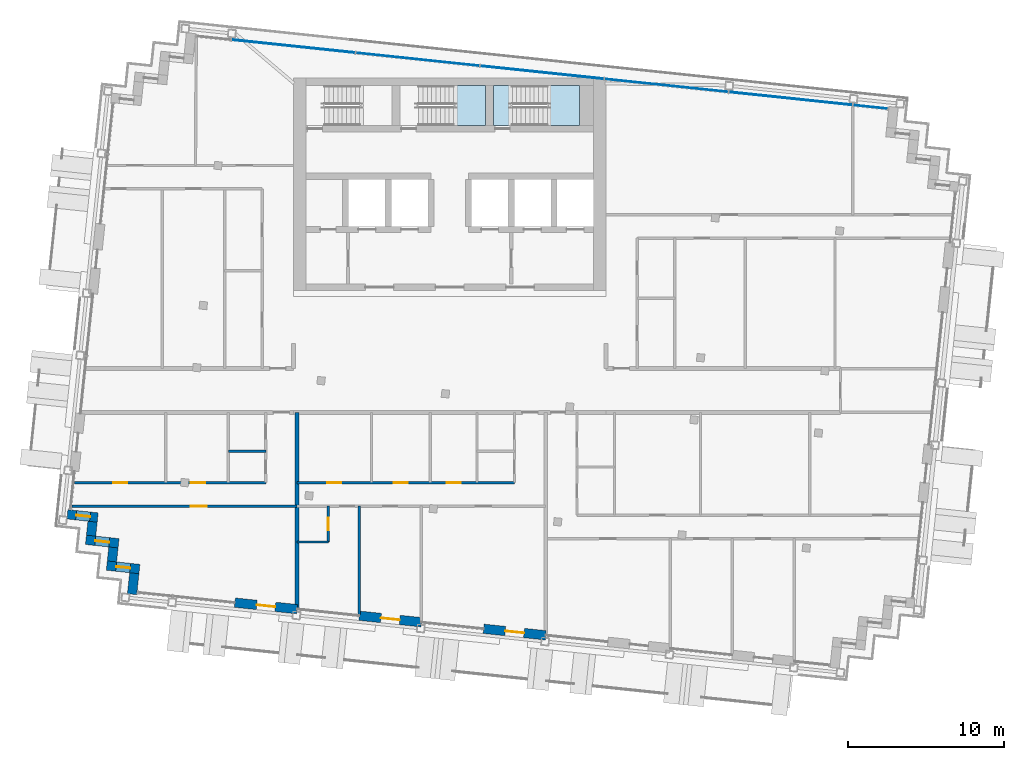
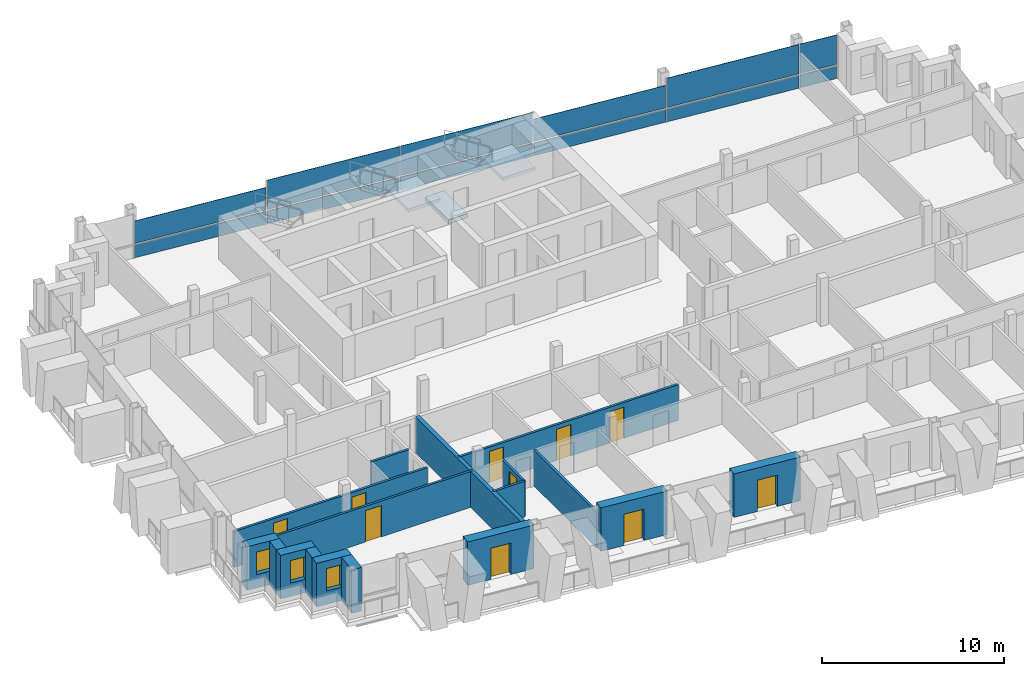
# One storey, part 8 of 16: 17 walls, 12 plates, 10 doors, 3 slabs, 3 windows, 13 openings, 3 elements without a shape of their own.
"""IFC4 building model written with IfcOpenShell, lengths in metres."""

from ifc_helpers import new_model, si_unit, direction, frame, frame_2d, origin, origin_2d, place, context, subcontext, project, spatial, polyline, rectangle, outline, extrude, material, layer, layer_set, type_object, element, fill, aggregate, save


model = new_model("IFC4")

# Units and contexts
model_context = context("Model", 3, precision=1e-05, world=origin(), true_north=direction((0.0, 1.0)))
body_context = subcontext(model_context, "Body", "Model", "MODEL_VIEW")
ifc_project = project(units=[si_unit("LENGTHUNIT", "METRE"), si_unit("AREAUNIT", "SQUARE_METRE"), si_unit("VOLUMEUNIT", "CUBIC_METRE"), si_unit("PLANEANGLEUNIT", "RADIAN"), si_unit("MASSUNIT", "GRAM", prefix="KILO")], contexts=[model_context])

# Site, building, storey
site_placement = place(None, origin())
site = spatial("IfcSite", under=ifc_project, at=site_placement, CompositionType="ELEMENT")
building_placement = place(site_placement, origin())
building = spatial("IfcBuilding", under=site, at=building_placement, Name="Vidyagriha Tower", CompositionType="ELEMENT")
storey_placement = place(building_placement, frame((0.0, 0.0, 272.300048828125)))
storey = spatial("IfcBuildingStorey", under=building, at=storey_placement, Name="L71", CompositionType="ELEMENT", Elevation=272.300048828125)

# Curtain wall, plates
ifc_material_1 = material(Name="Aluminium and glass curtain wall", Category="aluminium")
curtain_wall_type = type_object("IfcCurtainWallType", Name="Dwelling skin unitised curtain wall", PredefinedType="USERDEFINED", material=ifc_material_1)
curtain_wall_placement = place(storey_placement, origin())
curtain_wall = element("IfcCurtainWall", 1, at=curtain_wall_placement, inside=storey, type_object=curtain_wall_type, Name="CW1 dwelling skin", ObjectType="UNITISED", PredefinedType="USERDEFINED")
ifc_material_2 = material(Name="Glass dark ceramic-fritted spandrel", Category="glass")
ifc_layer_1 = layer(ifc_material_2, 0.0400390625)
ifc_layer_set_1 = layer_set([ifc_layer_1], Name="Glass dark ceramic-fritted spandrel")
plate_type_1 = type_object("IfcPlateType", Name="Ceramic-fritted spandrel panel", PredefinedType="CURTAIN_PANEL", material=ifc_layer_set_1)
plate_1_placement = place(storey_placement, frame((26.922607421875, 18.14599609375, 0.0), z_axis=(0.0, 0.0, 1.0), x_axis=(-0.994521854435, 0.104528852722, 0.0)))
plate_1 = element("IfcPlate", 2, at=plate_1_placement, type_object=plate_type_1, Name="CW1 panel 1.1", PredefinedType="CURTAIN_PANEL", context=body_context, shape_type="SweptSolid", body=[
    extrude(rectangle(XDim=2.195068359375, YDim=0.0400390625, at=origin_2d()), origin(), (0.0, 0.0, 1.0), 0.85009765625),
])
plate_2_placement = place(storey_placement, frame((13.862060546875, 19.518798828125, 0.0), z_axis=(0.0, 0.0, 1.0), x_axis=(-0.994521854435, 0.104528852722, 0.0)))
plate_2 = element("IfcPlate", 3, at=plate_2_placement, type_object=plate_type_1, Name="CW1 panel 3.1", PredefinedType="CURTAIN_PANEL", context=body_context, shape_type="SweptSolid", body=[
    extrude(rectangle(XDim=7.929931640625, YDim=0.0400390625, at=origin_2d()), origin(), (0.0, 0.0, 1.0), 0.85009765625),
])
plate_3_placement = place(storey_placement, frame((-2.05029296875, 21.191162109375, 0.0), z_axis=(0.0, 0.0, 1.0), x_axis=(-0.994521854435, 0.104528852722, 0.0)))
plate_3 = element("IfcPlate", 4, at=plate_3_placement, type_object=plate_type_1, Name="CW1 panel 5.1", PredefinedType="CURTAIN_PANEL", context=body_context, shape_type="SweptSolid", body=[
    extrude(rectangle(XDim=7.929931640625, YDim=0.0400390625, at=origin_2d()), origin(), (0.0, 0.0, 1.0), 0.85009765625),
])
ifc_material_3 = material(Name="Glass dark ceramic-fritted", Category="glass")
ifc_layer_2 = layer(ifc_material_3, 0.028076171875)
ifc_layer_set_2 = layer_set([ifc_layer_2], Name="Glass dark ceramic-fritted")
plate_type_2 = type_object("IfcPlateType", Name="Dark ceramic-fritted vision glass panel", PredefinedType="CURTAIN_PANEL", material=ifc_layer_set_2)
plate_4_placement = place(storey_placement, frame((26.922607421875, 18.14599609375, 0.9501953125), z_axis=(0.0, 0.0, 1.0), x_axis=(-0.994521854435, 0.104528852722, 0.0)))
plate_4 = element("IfcPlate", 5, at=plate_4_placement, type_object=plate_type_2, Name="CW1 panel 1.2", PredefinedType="CURTAIN_PANEL", context=body_context, shape_type="SweptSolid", body=[
    extrude(rectangle(XDim=2.195068359375, YDim=0.028076171875, at=origin_2d()), origin(), (0.0, 0.0, 1.0), 1.969970703125),
])
plate_5_placement = place(storey_placement, frame((21.818359375, 18.6826171875, 0.9501953125), z_axis=(0.0, 0.0, 1.0), x_axis=(-0.994521854435, 0.104528852722, 0.0)))
plate_5 = element("IfcPlate", 6, at=plate_5_placement, type_object=plate_type_2, Name="CW1 panel 2.2", PredefinedType="CURTAIN_PANEL", context=body_context, shape_type="SweptSolid", body=[
    extrude(rectangle(XDim=7.929931640625, YDim=0.028076171875, at=origin_2d()), origin(), (0.0, 0.0, 1.0), 1.969970703125),
])
plate_6_placement = place(storey_placement, frame((13.862060546875, 19.518798828125, 0.949951171875), z_axis=(0.0, 0.0, 1.0), x_axis=(-0.994521854435, 0.104528852722, 0.0)))
plate_6 = element("IfcPlate", 7, at=plate_6_placement, type_object=plate_type_2, Name="CW1 panel 3.2", PredefinedType="CURTAIN_PANEL", context=body_context, shape_type="SweptSolid", body=[
    extrude(rectangle(XDim=7.929931640625, YDim=0.028076171875, at=origin_2d()), origin(), (0.0, 0.0, 1.0), 1.5078125),
])
plate_7_placement = place(storey_placement, frame((5.906005859375, 20.35498046875, 0.9501953125), z_axis=(0.0, 0.0, 1.0), x_axis=(-0.994521854435, 0.104528852722, 0.0)))
plate_7 = element("IfcPlate", 8, at=plate_7_placement, type_object=plate_type_2, Name="CW1 panel 4.2", PredefinedType="CURTAIN_PANEL", context=body_context, shape_type="SweptSolid", body=[
    extrude(rectangle(XDim=7.929931640625, YDim=0.028076171875, at=origin_2d()), origin(), (0.0, 0.0, 1.0), 1.969970703125),
])
plate_8_placement = place(storey_placement, frame((-2.05029296875, 21.191162109375, 0.9501953125), z_axis=(0.0, 0.0, 1.0), x_axis=(-0.994521854435, 0.104528852722, 0.0)))
plate_8 = element("IfcPlate", 9, at=plate_8_placement, type_object=plate_type_2, Name="CW1 panel 5.2", PredefinedType="CURTAIN_PANEL", context=body_context, shape_type="SweptSolid", body=[
    extrude(rectangle(XDim=7.929931640625, YDim=0.028076171875, at=origin_2d()), origin(), (0.0, 0.0, 1.0), 1.969970703125),
])
plate_9_placement = place(storey_placement, frame((-10.00634765625, 22.027587890625, 0.949951171875), z_axis=(0.0, 0.0, 1.0), x_axis=(-0.994521854435, 0.104528852722, 0.0)))
plate_9 = element("IfcPlate", 10, at=plate_9_placement, type_object=plate_type_2, Name="CW1 panel 6.2", PredefinedType="CURTAIN_PANEL", context=body_context, shape_type="SweptSolid", body=[
    extrude(rectangle(XDim=7.929931640625, YDim=0.028076171875, at=origin_2d()), origin(), (0.0, 0.0, 1.0), 1.5078125),
])

# Slab
ifc_material_4 = material(Name="Concrete C40/50", Category="concrete")
ifc_layer_3 = layer(ifc_material_4, 0.280029296875)
ifc_layer_set_3 = layer_set([ifc_layer_3], Name="Concrete C40/50")
slab_type_1 = type_object("IfcSlabType", Name="Exit stair floor landing 280 mm", PredefinedType="LANDING", material=ifc_layer_set_3)
slab_1_placement = place(storey_placement, frame((0.0, 0.0, -0.280029296875)))
element("IfcSlab", 11, at=slab_1_placement, inside=storey, type_object=slab_type_1, Name="ST3 floor landing L71", PredefinedType="LANDING", context=body_context, shape_type="SweptSolid", body=[
    extrude(outline(polyline([(2.800048828125, 16.949951171875), (4.0, 16.949951171875), (4.0, 19.5), (2.800048828125, 19.5), (2.800048828125, 16.949951171875)])), origin(), (0.0, 0.0, 1.0), 0.280029296875),
])

# Stair, slab
ifc_material_5 = material(Name="Concrete C40/50", Category="concrete")
stair_type = type_object("IfcStairType", Name="Exit stair, half-turn, precast flights", PredefinedType="HALF_TURN_STAIR", material=ifc_material_5)
stair_1_placement = place(storey_placement, origin())
stair_1 = element("IfcStair", 12, at=stair_1_placement, inside=storey, type_object=stair_type, Name="L71 Exit Stair ST2", PredefinedType="HALF_TURN_STAIR")
ifc_material_6 = material(Name="Concrete C40/50", Category="concrete")
ifc_layer_4 = layer(ifc_material_6, 0.199951171875)
ifc_layer_set_4 = layer_set([ifc_layer_4], Name="Concrete C40/50")
slab_type_2 = type_object("IfcSlabType", Name="Exit stair landing 200 mm", PredefinedType="LANDING", material=ifc_layer_set_4)
slab_2_placement = place(storey_placement, frame((0.0, 0.0, 1.39990234375)))
slab_2 = element("IfcSlab", 13, at=slab_2_placement, type_object=slab_type_2, Name="ST2 landing 1", PredefinedType="LANDING", context=body_context, shape_type="SweptSolid", body=[
    extrude(outline(polyline([(0.239990234375, 16.949951171875), (2.300048828125, 16.949951171875), (2.300048828125, 19.5), (0.239990234375, 19.5), (0.239990234375, 16.949951171875)])), origin(), (0.0, 0.0, 1.0), 0.199951171875),
])
aggregate(stair_1, [slab_2])

stair_2_placement = place(storey_placement, origin())
stair_2 = element("IfcStair", 14, at=stair_2_placement, inside=storey, type_object=stair_type, Name="L71 Exit Stair ST3", PredefinedType="HALF_TURN_STAIR")
slab_3_placement = place(storey_placement, frame((0.0, 0.0, 1.39990234375)))
slab_3 = element("IfcSlab", 15, at=slab_3_placement, type_object=slab_type_2, Name="ST3 landing 1", PredefinedType="LANDING", context=body_context, shape_type="SweptSolid", body=[
    extrude(outline(polyline([(6.239990234375, 16.949951171875), (8.300048828125, 16.949951171875), (8.300048828125, 19.5), (6.239990234375, 19.5), (6.239990234375, 16.949951171875)])), origin(), (0.0, 0.0, 1.0), 0.199951171875),
])
aggregate(stair_2, [slab_3])

# Plate
ifc_material_7 = material(Name="Aluminium black anodised", Category="aluminium")
ifc_layer_5 = layer(ifc_material_7, 0.06005859375)
ifc_layer_set_5 = layer_set([ifc_layer_5], Name="Aluminium black anodised")
plate_type_3 = type_object("IfcPlateType", Name="Operable black-metal vent panel", PredefinedType="CURTAIN_PANEL", material=ifc_layer_set_5)
plate_10_placement = place(storey_placement, frame((21.818359375, 18.6826171875, 0.0), z_axis=(0.0, 0.0, 1.0), x_axis=(-0.994521854435, 0.104528852722, 0.0)))
plate_10 = element("IfcPlate", 16, at=plate_10_placement, type_object=plate_type_3, Name="CW1 panel 2.1", PredefinedType="CURTAIN_PANEL", context=body_context, shape_type="SweptSolid", body=[
    extrude(rectangle(XDim=7.929931640625, YDim=0.06005859375, at=origin_2d()), origin(), (0.0, 0.0, 1.0), 0.85009765625),
])

plate_11_placement = place(storey_placement, frame((5.906005859375, 20.35498046875, 0.0), z_axis=(0.0, 0.0, 1.0), x_axis=(-0.994521854435, 0.104528852722, 0.0)))
plate_11 = element("IfcPlate", 17, at=plate_11_placement, type_object=plate_type_3, Name="CW1 panel 4.1", PredefinedType="CURTAIN_PANEL", context=body_context, shape_type="SweptSolid", body=[
    extrude(rectangle(XDim=7.929931640625, YDim=0.06005859375, at=origin_2d()), origin(), (0.0, 0.0, 1.0), 0.85009765625),
])

plate_12_placement = place(storey_placement, frame((-10.00634765625, 22.027587890625, 0.0), z_axis=(0.0, 0.0, 1.0), x_axis=(-0.994521854435, 0.104528852722, 0.0)))
plate_12 = element("IfcPlate", 18, at=plate_12_placement, type_object=plate_type_3, Name="CW1 panel 6.1", PredefinedType="CURTAIN_PANEL", context=body_context, shape_type="SweptSolid", body=[
    extrude(rectangle(XDim=7.929931640625, YDim=0.06005859375, at=origin_2d()), origin(), (0.0, 0.0, 1.0), 0.85009765625),
])

aggregate(curtain_wall, [plate_1, plate_4, plate_10, plate_5, plate_2, plate_6, plate_11, plate_7, plate_3, plate_8, plate_12, plate_9])

# Wall, opening, window
ifc_material_8 = material(Name="Precast concrete C40/50 with brick facing", Category="concrete")
ifc_layer_6 = layer(ifc_material_8, 0.60009765625)
ifc_layer_set_6 = layer_set([ifc_layer_6], Name="Precast concrete C40/50 with brick facing")
wall_type_1 = type_object("IfcWallType", Name="Brick-faced precast wall 600", PredefinedType="STANDARD", material=ifc_layer_set_6)
wall_1_placement = place(storey_placement, frame((-24.466552734375, -7.92529296875, 0.0), z_axis=(0.0, 0.0, 1.0), x_axis=(0.994521219184, -0.104534896528, 0.0)))
wall_1 = element("IfcWall", 19, at=wall_1_placement, inside=storey, type_object=wall_type_1, Name="Stepped corner wall L71 R15", PredefinedType="STANDARD", context=body_context, shape_type="SweptSolid", body=[
    extrude(rectangle(XDim=1.9501953125, YDim=0.60009765625, at=frame_2d((0.97509765625, 0.0))), origin(), (0.0, 0.0, 1.0), 2.919921875),
])
opening_1_placement = place(wall_1_placement, frame((0.56005859375, 0.0, 0.89990234375)))
opening_1 = element("IfcOpeningElement", 20, at=opening_1_placement, cuts=wall_1, Name="Opening WN1", PredefinedType="OPENING", context=body_context, shape_type="SweptSolid", body=[
    extrude(rectangle(XDim=0.89990234375, YDim=1.5, at=frame_2d((0.449951171875, 0.75))), frame((0.0, 0.31005859375, 0.0), z_axis=(0.0, -1.0, 0.0), x_axis=(1.0, 0.0, 0.0)), (0.0, 0.0, 1.0), 0.6201171875),
])
ifc_material_9 = material(Name="Aluminium and glass window", Category="aluminium")
window_type = type_object("IfcWindowType", Name="Reveal window 900x1500", PartitioningType="NOTDEFINED", PredefinedType="WINDOW", material=ifc_material_9)
window_1_placement = place(opening_1_placement, origin())
window_1 = element("IfcWindow", 21, at=window_1_placement, inside=storey, type_object=window_type, Name="Reveal window L71 R15", OverallHeight=1.5, OverallWidth=0.89990234375, PartitioningType="SINGLE_PANEL", PredefinedType="WINDOW", context=body_context, shape_type="SweptSolid", body=[
    extrude(rectangle(XDim=0.89990234375, YDim=1.5, at=frame_2d((0.449951171875, 0.75))), frame((0.0, 0.030029296875, 0.0), z_axis=(0.0, -1.0, 0.0), x_axis=(1.0, 0.0, 0.0)), (0.0, 0.0, 1.0), 0.06005859375),
])
fill(opening_1, window_1)

# Wall
wall_2_placement = place(storey_placement, frame((-22.85693359375, -8.39599609375, 0.0), z_axis=(0.0, 0.0, 1.0), x_axis=(-0.104444712852, -0.994530694326, 0.0)))
element("IfcWall", 22, at=wall_2_placement, inside=storey, type_object=wall_type_1, Name="Stepped corner wall L71 R16", PredefinedType="STANDARD", context=body_context, shape_type="SweptSolid", body=[
    extrude(rectangle(XDim=0.89990234375, YDim=0.60009765625, at=frame_2d((0.449951171875, 0.0))), origin(), (0.0, 0.0, 1.0), 2.919921875),
])

# Wall, opening, window
wall_3_placement = place(storey_placement, frame((-23.28076171875, -9.55810546875, 0.0), z_axis=(0.0, 0.0, 1.0), x_axis=(0.994523910136, -0.104509292252, 0.0)))
wall_3 = element("IfcWall", 23, at=wall_3_placement, inside=storey, type_object=wall_type_1, Name="Stepped corner wall L71 R17", PredefinedType="STANDARD", context=body_context, shape_type="SweptSolid", body=[
    extrude(rectangle(XDim=2.10009765625, YDim=0.60009765625, at=frame_2d((1.050048828125, 0.0))), origin(), (0.0, 0.0, 1.0), 2.919921875),
])
opening_2_placement = place(wall_3_placement, frame((0.60009765625, 0.0, 0.89990234375)))
opening_2 = element("IfcOpeningElement", 24, at=opening_2_placement, cuts=wall_3, Name="Opening WN1", PredefinedType="OPENING", context=body_context, shape_type="SweptSolid", body=[
    extrude(rectangle(XDim=0.89990234375, YDim=1.5, at=frame_2d((0.449951171875, 0.75))), frame((0.0, 0.31005859375, 0.0), z_axis=(0.0, -1.0, 0.0), x_axis=(1.0, 0.0, 0.0)), (0.0, 0.0, 1.0), 0.6201171875),
])
window_2_placement = place(opening_2_placement, origin())
window_2 = element("IfcWindow", 25, at=window_2_placement, inside=storey, type_object=window_type, Name="Reveal window L71 R17", OverallHeight=1.5, OverallWidth=0.89990234375, PartitioningType="SINGLE_PANEL", PredefinedType="WINDOW", context=body_context, shape_type="SweptSolid", body=[
    extrude(rectangle(XDim=0.89990234375, YDim=1.5, at=frame_2d((0.449951171875, 0.75))), frame((0.0, 0.030029296875, 0.0), z_axis=(0.0, -1.0, 0.0), x_axis=(1.0, 0.0, 0.0)), (0.0, 0.0, 1.0), 0.06005859375),
])
fill(opening_2, window_2)

# Wall
wall_4_placement = place(storey_placement, frame((-21.52197265625, -10.04443359375, 0.0), z_axis=(0.0, 0.0, 1.0), x_axis=(-0.104416541099, -0.994533652495, 0.0)))
element("IfcWall", 26, at=wall_4_placement, inside=storey, type_object=wall_type_1, Name="Stepped corner wall L71 R18", PredefinedType="STANDARD", context=body_context, shape_type="SweptSolid", body=[
    extrude(rectangle(XDim=0.900146484375, YDim=0.60009765625, at=frame_2d((0.4501953125, 0.0))), origin(), (0.0, 0.0, 1.0), 2.919921875),
])

# Wall, opening, window
wall_5_placement = place(storey_placement, frame((-21.94580078125, -11.20654296875, 0.0), z_axis=(0.0, 0.0, 1.0), x_axis=(0.994511820899, -0.104624271047, 0.0)))
wall_5 = element("IfcWall", 27, at=wall_5_placement, inside=storey, type_object=wall_type_1, Name="Stepped corner wall L71 R19", PredefinedType="STANDARD", context=body_context, shape_type="SweptSolid", body=[
    extrude(rectangle(XDim=2.10009765625, YDim=0.60009765625, at=frame_2d((1.050048828125, 0.0))), origin(), (0.0, 0.0, 1.0), 2.919921875),
])
opening_3_placement = place(wall_5_placement, frame((0.60009765625, 0.0, 0.89990234375)))
opening_3 = element("IfcOpeningElement", 28, at=opening_3_placement, cuts=wall_5, Name="Opening WN1", PredefinedType="OPENING", context=body_context, shape_type="SweptSolid", body=[
    extrude(rectangle(XDim=0.89990234375, YDim=1.5, at=frame_2d((0.449951171875, 0.75))), frame((0.0, 0.31005859375, 0.0), z_axis=(0.0, -1.0, 0.0), x_axis=(1.0, 0.0, 0.0)), (0.0, 0.0, 1.0), 0.6201171875),
])
window_3_placement = place(opening_3_placement, origin())
window_3 = element("IfcWindow", 29, at=window_3_placement, inside=storey, type_object=window_type, Name="Reveal window L71 R19", OverallHeight=1.5, OverallWidth=0.89990234375, PartitioningType="SINGLE_PANEL", PredefinedType="WINDOW", context=body_context, shape_type="SweptSolid", body=[
    extrude(rectangle(XDim=0.89990234375, YDim=1.5, at=frame_2d((0.449951171875, 0.75))), frame((0.0, 0.030029296875, 0.0), z_axis=(0.0, -1.0, 0.0), x_axis=(1.0, 0.0, 0.0)), (0.0, 0.0, 1.0), 0.06005859375),
])
fill(opening_3, window_3)

# Wall
wall_6_placement = place(storey_placement, frame((-20.18701171875, -11.693115234375, 0.0), z_axis=(0.0, 0.0, 1.0), x_axis=(-0.1043365026, -0.994542052517, 0.0)))
element("IfcWall", 30, at=wall_6_placement, inside=storey, type_object=wall_type_1, Name="Stepped corner wall L71 R20", PredefinedType="STANDARD", context=body_context, shape_type="SweptSolid", body=[
    extrude(rectangle(XDim=1.35009765625, YDim=0.60009765625, at=frame_2d((0.675048828125, 0.0))), origin(), (0.0, 0.0, 1.0), 2.919921875),
])

# Wall, opening, door
wall_7_placement = place(storey_placement, frame((-13.74853515625, -13.576416015625, 0.0), z_axis=(0.0, 0.0, 1.0), x_axis=(0.994519156568, -0.104554517933, 0.0)))
wall_7 = element("IfcWall", 31, at=wall_7_placement, inside=storey, type_object=wall_type_1, Name="Brick door bay wall L71 R21.3", PredefinedType="STANDARD", context=body_context, shape_type="SweptSolid", body=[
    extrude(rectangle(XDim=4.0, YDim=0.60009765625, at=frame_2d((2.0, 0.0))), origin(), (0.0, 0.0, 1.0), 2.919921875),
])
opening_4_placement = place(wall_7_placement, frame((1.39990234375, 0.0, 0.0)))
opening_4 = element("IfcOpeningElement", 32, at=opening_4_placement, cuts=wall_7, Name="Opening D71-54", PredefinedType="OPENING", context=body_context, shape_type="SweptSolid", body=[
    extrude(rectangle(XDim=1.199951171875, YDim=2.10009765625, at=frame_2d((0.60009765625, 1.050048828125))), frame((0.0, 0.31005859375, 0.0), z_axis=(0.0, -1.0, 0.0), x_axis=(1.0, 0.0, 0.0)), (0.0, 0.0, 1.0), 0.6201171875),
])
ifc_material_10 = material(Name="Aluminium framed glazed sliding door", Category="aluminium")
door_type_1 = type_object("IfcDoorType", Name="Balcony sliding door 1200x2100", OperationType="NOTDEFINED", PredefinedType="DOOR", material=ifc_material_10)
door_1_placement = place(opening_4_placement, origin())
door_1 = element("IfcDoor", 33, at=door_1_placement, inside=storey, type_object=door_type_1, Name="Door D71-54", OperationType="SLIDING_TO_LEFT", OverallHeight=2.10009765625, OverallWidth=1.199951171875, PredefinedType="DOOR", context=body_context, shape_type="SweptSolid", body=[
    extrude(rectangle(XDim=1.199951171875, YDim=2.10009765625, at=frame_2d((0.60009765625, 1.050048828125))), frame((0.0, 0.02490234375, 0.0), z_axis=(0.0, -1.0, 0.0), x_axis=(1.0, 0.0, 0.0)), (0.0, 0.0, 1.0), 0.050048828125),
])
fill(opening_4, door_1)

wall_8_placement = place(storey_placement, frame((-5.792236328125, -14.412841796875, 0.0), z_axis=(0.0, 0.0, 1.0), x_axis=(0.99452550138, -0.104494148666, 0.0)))
wall_8 = element("IfcWall", 34, at=wall_8_placement, inside=storey, type_object=wall_type_1, Name="Brick door bay wall L71 R21.5", PredefinedType="STANDARD", context=body_context, shape_type="SweptSolid", body=[
    extrude(rectangle(XDim=4.0, YDim=0.60009765625, at=frame_2d((2.0, 0.0))), origin(), (0.0, 0.0, 1.0), 2.919921875),
])
opening_5_placement = place(wall_8_placement, frame((1.39990234375, 0.0, 0.0)))
opening_5 = element("IfcOpeningElement", 35, at=opening_5_placement, cuts=wall_8, Name="Opening D71-55", PredefinedType="OPENING", context=body_context, shape_type="SweptSolid", body=[
    extrude(rectangle(XDim=1.199951171875, YDim=2.10009765625, at=frame_2d((0.60009765625, 1.050048828125))), frame((0.0, 0.31005859375, 0.0), z_axis=(0.0, -1.0, 0.0), x_axis=(1.0, 0.0, 0.0)), (0.0, 0.0, 1.0), 0.6201171875),
])
door_2_placement = place(opening_5_placement, origin())
door_2 = element("IfcDoor", 36, at=door_2_placement, inside=storey, type_object=door_type_1, Name="Door D71-55", OperationType="SLIDING_TO_LEFT", OverallHeight=2.10009765625, OverallWidth=1.199951171875, PredefinedType="DOOR", context=body_context, shape_type="SweptSolid", body=[
    extrude(rectangle(XDim=1.199951171875, YDim=2.10009765625, at=frame_2d((0.60009765625, 1.050048828125))), frame((0.0, 0.02490234375, 0.0), z_axis=(0.0, -1.0, 0.0), x_axis=(1.0, 0.0, 0.0)), (0.0, 0.0, 1.0), 0.050048828125),
])
fill(opening_5, door_2)

wall_9_placement = place(storey_placement, frame((2.163818359375, -15.2490234375, 0.0), z_axis=(0.0, 0.0, 1.0), x_axis=(0.99452550138, -0.104494148666, 0.0)))
wall_9 = element("IfcWall", 37, at=wall_9_placement, inside=storey, type_object=wall_type_1, Name="Brick door bay wall L71 R21.7", PredefinedType="STANDARD", context=body_context, shape_type="SweptSolid", body=[
    extrude(rectangle(XDim=4.0, YDim=0.60009765625, at=frame_2d((2.0, 0.0))), origin(), (0.0, 0.0, 1.0), 2.919921875),
])
opening_6_placement = place(wall_9_placement, frame((1.39990234375, 0.0, 0.0)))
opening_6 = element("IfcOpeningElement", 38, at=opening_6_placement, cuts=wall_9, Name="Opening D71-56", PredefinedType="OPENING", context=body_context, shape_type="SweptSolid", body=[
    extrude(rectangle(XDim=1.199951171875, YDim=2.10009765625, at=frame_2d((0.60009765625, 1.050048828125))), frame((0.0, 0.31005859375, 0.0), z_axis=(0.0, -1.0, 0.0), x_axis=(1.0, 0.0, 0.0)), (0.0, 0.0, 1.0), 0.6201171875),
])
door_3_placement = place(opening_6_placement, origin())
door_3 = element("IfcDoor", 39, at=door_3_placement, inside=storey, type_object=door_type_1, Name="Door D71-56", OperationType="SLIDING_TO_LEFT", OverallHeight=2.10009765625, OverallWidth=1.199951171875, PredefinedType="DOOR", context=body_context, shape_type="SweptSolid", body=[
    extrude(rectangle(XDim=1.199951171875, YDim=2.10009765625, at=frame_2d((0.60009765625, 1.050048828125))), frame((0.0, 0.02490234375, 0.0), z_axis=(0.0, -1.0, 0.0), x_axis=(1.0, 0.0, 0.0)), (0.0, 0.0, 1.0), 0.050048828125),
])
fill(opening_6, door_3)

# Walls
ifc_material_11 = material(Name="Fired clay brick masonry", Category="masonry")
ifc_layer_7 = layer(ifc_material_11, 0.25)
ifc_layer_set_7 = layer_set([ifc_layer_7], Name="Fired clay brick masonry")
wall_type_2 = type_object("IfcWallType", Name="Fired clay brick demising wall 250", PredefinedType="PARTITIONING", material=ifc_layer_set_7)
wall_10_placement = place(storey_placement, frame((-9.77001953125, -1.39990234375, 0.0), z_axis=(0.0, 0.0, 1.0), x_axis=(0.0, -1.0, 0.0)))
element("IfcWall", 40, at=wall_10_placement, inside=storey, type_object=wall_type_2, Name="Wall all-L71-w034", PredefinedType="PARTITIONING", context=body_context, shape_type="SweptSolid", body=[
    extrude(rectangle(XDim=12.50439453125, YDim=0.25, at=frame_2d((6.252197265625, 0.0))), origin(), (0.0, 0.0, 1.0), 2.39990234375),
])
ifc_material_12 = material(Name="Gypsum board partition")
ifc_layer_8 = layer(ifc_material_12, 0.14990234375)
ifc_layer_set_8 = layer_set([ifc_layer_8], Name="Gypsum board partition")
wall_type_3 = type_object("IfcWallType", Name="Gypsum board partition 150", PredefinedType="PARTITIONING", material=ifc_layer_set_8)
wall_11_placement = place(storey_placement, frame((-11.77001953125, -3.89990234375, 0.0), z_axis=(0.0, 0.0, 1.0), x_axis=(-1.0, 0.0, 0.0)))
element("IfcWall", 41, at=wall_11_placement, inside=storey, type_object=wall_type_3, Name="Wall all-L71-w004", PredefinedType="PARTITIONING", context=body_context, shape_type="SweptSolid", body=[
    extrude(rectangle(XDim=2.39990234375, YDim=0.14990234375, at=frame_2d((1.199951171875, 0.0))), origin(), (0.0, 0.0, 1.0), 2.39990234375),
])

# Wall, openings, doors
wall_12_placement = place(storey_placement, frame((-24.0234375, -5.89990234375, 0.0)))
wall_12 = element("IfcWall", 42, at=wall_12_placement, inside=storey, type_object=wall_type_3, Name="Wall all-L71-w007", PredefinedType="PARTITIONING", context=body_context, shape_type="SweptSolid", body=[
    extrude(rectangle(XDim=12.25341796875, YDim=0.14990234375, at=frame_2d((6.126708984375, 0.0))), origin(), (0.0, 0.0, 1.0), 2.39990234375),
])
opening_7_placement = place(wall_12_placement, frame((7.46484375, 0.0, 0.0)))
opening_7 = element("IfcOpeningElement", 43, at=opening_7_placement, cuts=wall_12, Name="Opening D71-12", PredefinedType="OPENING", context=body_context, shape_type="SweptSolid", body=[
    extrude(rectangle(XDim=0.89990234375, YDim=2.10009765625, at=frame_2d((0.449951171875, 1.050048828125))), frame((0.0, 0.0849609375, 0.0), z_axis=(0.0, -1.0, 0.0), x_axis=(1.0, 0.0, 0.0)), (0.0, 0.0, 1.0), 0.169921875),
])
opening_8_placement = place(wall_12_placement, frame((2.494384765625, 0.0, 0.0)))
opening_8 = element("IfcOpeningElement", 44, at=opening_8_placement, cuts=wall_12, Name="Opening D71-13", PredefinedType="OPENING", context=body_context, shape_type="SweptSolid", body=[
    extrude(rectangle(XDim=0.89990234375, YDim=2.10009765625, at=frame_2d((0.449951171875, 1.050048828125))), frame((0.0, 0.0849609375, 0.0), z_axis=(0.0, -1.0, 0.0), x_axis=(1.0, 0.0, 0.0)), (0.0, 0.0, 1.0), 0.169921875),
])
ifc_material_13 = material(Name="Timber door leaf", Category="wood")
door_type_2 = type_object("IfcDoorType", Name="Room door 900x2100", OperationType="NOTDEFINED", PredefinedType="DOOR", material=ifc_material_13)
door_4_placement = place(opening_7_placement, origin())
door_4 = element("IfcDoor", 45, at=door_4_placement, inside=storey, type_object=door_type_2, Name="Door D71-12", OperationType="SINGLE_SWING_RIGHT", OverallHeight=2.10009765625, OverallWidth=0.89990234375, PredefinedType="DOOR", context=body_context, shape_type="SweptSolid", body=[
    extrude(rectangle(XDim=0.89990234375, YDim=2.10009765625, at=frame_2d((0.449951171875, 1.050048828125))), frame((0.0, 0.02490234375, 0.0), z_axis=(0.0, -1.0, 0.0), x_axis=(1.0, 0.0, 0.0)), (0.0, 0.0, 1.0), 0.050048828125),
])
fill(opening_7, door_4)
door_5_placement = place(opening_8_placement, origin())
door_5 = element("IfcDoor", 46, at=door_5_placement, inside=storey, type_object=door_type_2, Name="Door D71-13", OperationType="SINGLE_SWING_LEFT", OverallHeight=2.10009765625, OverallWidth=0.89990234375, PredefinedType="DOOR", context=body_context, shape_type="SweptSolid", body=[
    extrude(rectangle(XDim=0.89990234375, YDim=2.10009765625, at=frame_2d((0.449951171875, 1.050048828125))), frame((0.0, 0.02490234375, 0.0), z_axis=(0.0, -1.0, 0.0), x_axis=(1.0, 0.0, 0.0)), (0.0, 0.0, 1.0), 0.050048828125),
])
fill(opening_8, door_5)

# Wall, opening, door
wall_13_placement = place(storey_placement, frame((-9.77001953125, -7.39990234375, 0.0), z_axis=(0.0, 0.0, 1.0), x_axis=(-1.0, 0.0, 0.0)))
wall_13 = element("IfcWall", 47, at=wall_13_placement, inside=storey, type_object=wall_type_3, Name="Wall all-L71-w010", PredefinedType="PARTITIONING", context=body_context, shape_type="SweptSolid", body=[
    extrude(rectangle(XDim=14.4111328125, YDim=0.14990234375, at=frame_2d((7.20556640625, 0.0))), origin(), (0.0, 0.0, 1.0), 2.39990234375),
])
opening_9_placement = place(wall_13_placement, frame((5.78857421875, 0.0, 0.0)))
opening_9 = element("IfcOpeningElement", 48, at=opening_9_placement, cuts=wall_13, Name="Opening D71-14", PredefinedType="OPENING", context=body_context, shape_type="SweptSolid", body=[
    extrude(rectangle(XDim=1.0, YDim=2.10009765625, at=frame_2d((0.5, 1.050048828125))), frame((0.0, 0.0849609375, 0.0), z_axis=(0.0, -1.0, 0.0), x_axis=(1.0, 0.0, 0.0)), (0.0, 0.0, 1.0), 0.169921875),
])
ifc_material_14 = material(Name="Timber door leaf", Category="wood")
door_type_3 = type_object("IfcDoorType", Name="Room door 1000x2100", OperationType="NOTDEFINED", PredefinedType="DOOR", material=ifc_material_14)
door_6_placement = place(opening_9_placement, origin())
door_6 = element("IfcDoor", 49, at=door_6_placement, inside=storey, type_object=door_type_3, Name="Door D71-14", OperationType="SINGLE_SWING_LEFT", OverallHeight=2.10009765625, OverallWidth=1.0, PredefinedType="DOOR", context=body_context, shape_type="SweptSolid", body=[
    extrude(rectangle(XDim=1.0, YDim=2.10009765625, at=frame_2d((0.5, 1.050048828125))), frame((0.0, 0.02490234375, 0.0), z_axis=(0.0, -1.0, 0.0), x_axis=(1.0, 0.0, 0.0)), (0.0, 0.0, 1.0), 0.050048828125),
])
fill(opening_9, door_6)

# Wall, openings, doors
wall_14_placement = place(storey_placement, frame((-9.77001953125, -5.89990234375, 0.0)))
wall_14 = element("IfcWall", 50, at=wall_14_placement, inside=storey, type_object=wall_type_3, Name="Wall all-L71-w020", PredefinedType="PARTITIONING", context=body_context, shape_type="SweptSolid", body=[
    extrude(rectangle(XDim=13.912109375, YDim=0.14990234375, at=frame_2d((6.9560546875, 0.0))), origin(), (0.0, 0.0, 1.0), 2.39990234375),
])
opening_10_placement = place(wall_14_placement, frame((9.56201171875, 0.0, 0.0)))
opening_10 = element("IfcOpeningElement", 51, at=opening_10_placement, cuts=wall_14, Name="Opening D71-18", PredefinedType="OPENING", context=body_context, shape_type="SweptSolid", body=[
    extrude(rectangle(XDim=0.89990234375, YDim=2.10009765625, at=frame_2d((0.449951171875, 1.050048828125))), frame((0.0, 0.0849609375, 0.0), z_axis=(0.0, -1.0, 0.0), x_axis=(1.0, 0.0, 0.0)), (0.0, 0.0, 1.0), 0.169921875),
])
opening_11_placement = place(wall_14_placement, frame((6.18701171875, 0.0, 0.0)))
opening_11 = element("IfcOpeningElement", 52, at=opening_11_placement, cuts=wall_14, Name="Opening D71-19", PredefinedType="OPENING", context=body_context, shape_type="SweptSolid", body=[
    extrude(rectangle(XDim=0.89990234375, YDim=2.10009765625, at=frame_2d((0.449951171875, 1.050048828125))), frame((0.0, 0.0849609375, 0.0), z_axis=(0.0, -1.0, 0.0), x_axis=(1.0, 0.0, 0.0)), (0.0, 0.0, 1.0), 0.169921875),
])
opening_12_placement = place(wall_14_placement, frame((1.930908203125, 0.0, 0.0)))
opening_12 = element("IfcOpeningElement", 53, at=opening_12_placement, cuts=wall_14, Name="Opening D71-20", PredefinedType="OPENING", context=body_context, shape_type="SweptSolid", body=[
    extrude(rectangle(XDim=0.89990234375, YDim=2.10009765625, at=frame_2d((0.449951171875, 1.050048828125))), frame((0.0, 0.0849609375, 0.0), z_axis=(0.0, -1.0, 0.0), x_axis=(1.0, 0.0, 0.0)), (0.0, 0.0, 1.0), 0.169921875),
])
door_7_placement = place(opening_10_placement, origin())
door_7 = element("IfcDoor", 54, at=door_7_placement, inside=storey, type_object=door_type_2, Name="Door D71-18", OperationType="SINGLE_SWING_RIGHT", OverallHeight=2.10009765625, OverallWidth=0.89990234375, PredefinedType="DOOR", context=body_context, shape_type="SweptSolid", body=[
    extrude(rectangle(XDim=0.89990234375, YDim=2.10009765625, at=frame_2d((0.449951171875, 1.050048828125))), frame((0.0, 0.02490234375, 0.0), z_axis=(0.0, -1.0, 0.0), x_axis=(1.0, 0.0, 0.0)), (0.0, 0.0, 1.0), 0.050048828125),
])
fill(opening_10, door_7)
door_8_placement = place(opening_11_placement, origin())
door_8 = element("IfcDoor", 55, at=door_8_placement, inside=storey, type_object=door_type_2, Name="Door D71-19", OperationType="SINGLE_SWING_RIGHT", OverallHeight=2.10009765625, OverallWidth=0.89990234375, PredefinedType="DOOR", context=body_context, shape_type="SweptSolid", body=[
    extrude(rectangle(XDim=0.89990234375, YDim=2.10009765625, at=frame_2d((0.449951171875, 1.050048828125))), frame((0.0, 0.02490234375, 0.0), z_axis=(0.0, -1.0, 0.0), x_axis=(1.0, 0.0, 0.0)), (0.0, 0.0, 1.0), 0.050048828125),
])
fill(opening_11, door_8)
door_9_placement = place(opening_12_placement, origin())
door_9 = element("IfcDoor", 56, at=door_9_placement, inside=storey, type_object=door_type_2, Name="Door D71-20", OperationType="SINGLE_SWING_LEFT", OverallHeight=2.10009765625, OverallWidth=0.89990234375, PredefinedType="DOOR", context=body_context, shape_type="SweptSolid", body=[
    extrude(rectangle(XDim=0.89990234375, YDim=2.10009765625, at=frame_2d((0.449951171875, 1.050048828125))), frame((0.0, 0.02490234375, 0.0), z_axis=(0.0, -1.0, 0.0), x_axis=(1.0, 0.0, 0.0)), (0.0, 0.0, 1.0), 0.050048828125),
])
fill(opening_12, door_9)

# Wall
wall_15_placement = place(storey_placement, frame((-5.792236328125, -7.39990234375, 0.0), z_axis=(0.0, 0.0, 1.0), x_axis=(0.0, -1.0, 0.0)))
element("IfcWall", 57, at=wall_15_placement, inside=storey, type_object=wall_type_3, Name="Wall all-L71-w028", PredefinedType="PARTITIONING", context=body_context, shape_type="SweptSolid", body=[
    extrude(rectangle(XDim=6.933349609375, YDim=0.14990234375, at=frame_2d((3.466796875, 0.0))), origin(), (0.0, 0.0, 1.0), 2.39990234375),
])

# Wall, opening, door
wall_16_placement = place(storey_placement, frame((-7.77001953125, -7.39990234375, 0.0), z_axis=(0.0, 0.0, 1.0), x_axis=(0.0, -1.0, 0.0)))
wall_16 = element("IfcWall", 58, at=wall_16_placement, inside=storey, type_object=wall_type_3, Name="Wall all-L71-w030", PredefinedType="PARTITIONING", context=body_context, shape_type="SweptSolid", body=[
    extrude(rectangle(XDim=2.300048828125, YDim=0.14990234375, at=frame_2d((1.14990234375, 0.0))), origin(), (0.0, 0.0, 1.0), 2.39990234375),
])
opening_13_placement = place(wall_16_placement, frame((0.75, 0.0, 0.0)))
opening_13 = element("IfcOpeningElement", 59, at=opening_13_placement, cuts=wall_16, Name="Opening D71-24", PredefinedType="OPENING", context=body_context, shape_type="SweptSolid", body=[
    extrude(rectangle(XDim=0.800048828125, YDim=2.10009765625, at=frame_2d((0.39990234375, 1.050048828125))), frame((0.0, 0.0849609375, 0.0), z_axis=(0.0, -1.0, 0.0), x_axis=(1.0, 0.0, 0.0)), (0.0, 0.0, 1.0), 0.169921875),
])
ifc_material_15 = material(Name="Timber door leaf", Category="wood")
door_type_4 = type_object("IfcDoorType", Name="Bathroom door 800x2100", OperationType="NOTDEFINED", PredefinedType="DOOR", material=ifc_material_15)
door_10_placement = place(opening_13_placement, origin())
door_10 = element("IfcDoor", 60, at=door_10_placement, inside=storey, type_object=door_type_4, Name="Door D71-24", OperationType="SINGLE_SWING_LEFT", OverallHeight=2.10009765625, OverallWidth=0.800048828125, PredefinedType="DOOR", context=body_context, shape_type="SweptSolid", body=[
    extrude(rectangle(XDim=0.800048828125, YDim=2.10009765625, at=frame_2d((0.39990234375, 1.050048828125))), frame((0.0, 0.02490234375, 0.0), z_axis=(0.0, -1.0, 0.0), x_axis=(1.0, 0.0, 0.0)), (0.0, 0.0, 1.0), 0.050048828125),
])
fill(opening_13, door_10)

# Wall
wall_17_placement = place(storey_placement, frame((-7.77001953125, -9.699951171875, 0.0), z_axis=(0.0, 0.0, 1.0), x_axis=(-1.0, 0.0, 0.0)))
element("IfcWall", 61, at=wall_17_placement, inside=storey, type_object=wall_type_3, Name="Wall all-L71-w031", PredefinedType="PARTITIONING", context=body_context, shape_type="SweptSolid", body=[
    extrude(rectangle(XDim=2.0, YDim=0.14990234375, at=frame_2d((1.0, 0.0))), origin(), (0.0, 0.0, 1.0), 2.39990234375),
])

save(model, "model.ifc")
